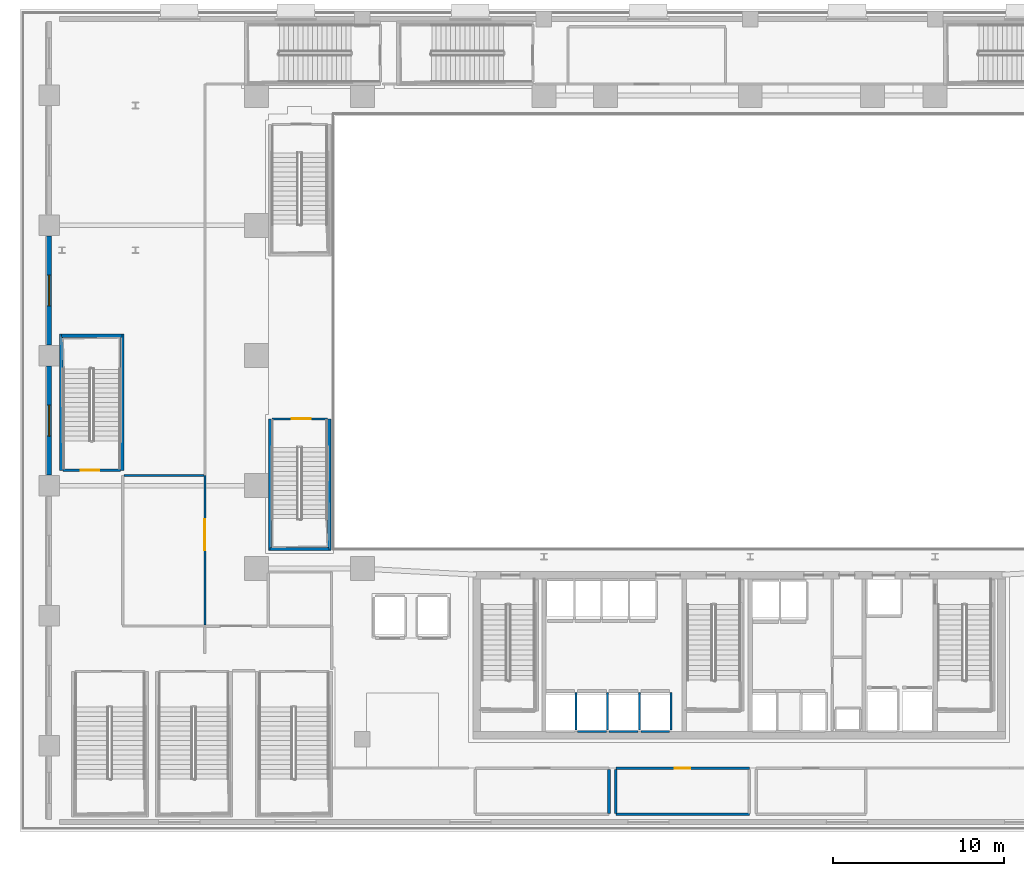
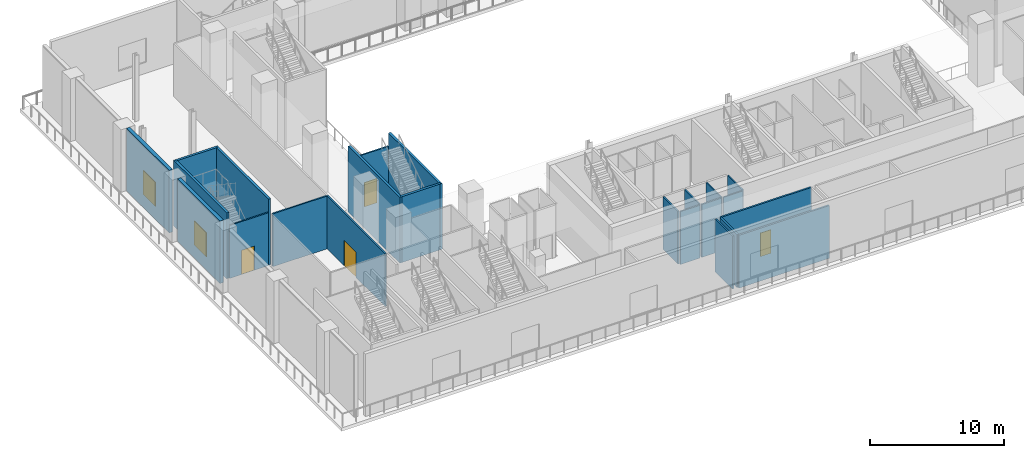
# One storey, part 7 of 29: 23 walls, 4 doors, 2 windows, 6 openings.
"""IFC4 building model written with IfcOpenShell, lengths in metres."""

from ifc_helpers import new_model, si_unit, direction, frame, frame_2d, origin, place, context, subcontext, project, spatial, rectangle, extrude, material, layer, layer_set, type_object, element, fill, save


model = new_model("IFC4")

# Units and contexts
model_context = context("Model", 3, precision=1e-05, world=origin(), true_north=direction((0.0, 1.0)))
body_context = subcontext(model_context, "Body", "Model", "MODEL_VIEW")
ifc_project = project(units=[si_unit("LENGTHUNIT", "METRE"), si_unit("AREAUNIT", "SQUARE_METRE"), si_unit("VOLUMEUNIT", "CUBIC_METRE"), si_unit("PLANEANGLEUNIT", "RADIAN"), si_unit("MASSUNIT", "GRAM", prefix="KILO")], contexts=[model_context])

# Site, building, storey
site_placement = place(None, origin())
site = spatial("IfcSite", under=ifc_project, at=site_placement, CompositionType="ELEMENT")
building_placement = place(site_placement, origin())
building = spatial("IfcBuilding", under=site, at=building_placement, Name="Ndaravel Arena Tower", CompositionType="ELEMENT")
storey_placement = place(building_placement, frame((0.0, 0.0, 12.0)))
storey = spatial("IfcBuildingStorey", under=building, at=storey_placement, Name="L02", CompositionType="ELEMENT", Elevation=12.0)

# Wall, opening, door
ifc_material_1 = material(Name="Gypsum", Category="gypsum")
ifc_layer_1 = layer(ifc_material_1, 0.125)
ifc_layer_set_1 = layer_set([ifc_layer_1], Name="Gypsum")
wall_type_1 = type_object("IfcWallType", Name="WALL-PART-125", PredefinedType="PARTITIONING", material=ifc_layer_set_1)
wall_1_placement = place(storey_placement, frame((10.800048828125, 12.06494140625, 0.0), z_axis=(0.0, 0.0, 1.0), x_axis=(0.0, 1.0, 0.0)))
wall_1 = element("IfcWall", 1, at=wall_1_placement, inside=storey, type_object=wall_type_1, Name="L02 Interior Partition 013", PredefinedType="PARTITIONING", context=body_context, shape_type="SweptSolid", body=[
    extrude(rectangle(XDim=8.735107421875, YDim=0.125, at=frame_2d((4.36767578125, 0.0))), origin(), (0.0, 0.0, 1.0), 4.819091796875),
])
opening_1_placement = place(wall_1_placement, frame((4.367431640625, 0.0, 0.0)))
opening_1 = element("IfcOpeningElement", 2, at=opening_1_placement, cuts=wall_1, Name="Opening AD-01", PredefinedType="OPENING", context=body_context, shape_type="SweptSolid", body=[
    extrude(rectangle(XDim=1.800048828125, YDim=2.300048828125, at=frame_2d((0.89990234375, 1.14990234375))), frame((0.0, 0.0625, 0.0), z_axis=(0.0, -1.0, 0.0), x_axis=(1.0, 0.0, 0.0)), (0.0, 0.0, 1.0), 0.125),
])
ifc_material_2 = material(Name="Steel S355", Category="steel")
door_type_1 = type_object("IfcDoorType", Name="DT-10-ARENA-1800", OperationType="DOUBLE_DOOR_SINGLE_SWING", PredefinedType="DOOR", material=ifc_material_2)
door_1_placement = place(opening_1_placement, origin())
door_1 = element("IfcDoor", 3, at=door_1_placement, inside=storey, type_object=door_type_1, Name="L02 West Corporate Hospitality Boxes Door", OperationType="SINGLE_SWING_RIGHT", OverallHeight=2.300048828125, OverallWidth=1.800048828125, PredefinedType="DOOR", context=body_context, shape_type="SweptSolid", body=[
    extrude(rectangle(XDim=1.800048828125, YDim=2.300048828125, at=frame_2d((0.89990234375, 1.14990234375))), frame((0.0, 0.02490234375, 0.0), z_axis=(0.0, -1.0, 0.0), x_axis=(1.0, 0.0, 0.0)), (0.0, 0.0, 1.0), 0.050048828125),
])
fill(opening_1, door_1)

# Wall
wall_2_placement = place(storey_placement, frame((6.06494140625, 20.800048828125, 0.0), z_axis=(0.0, 0.0, 1.0), x_axis=(1.0, 0.0, 0.0)))
element("IfcWall", 4, at=wall_2_placement, inside=storey, type_object=wall_type_1, Name="L02 Interior Partition 035", PredefinedType="PARTITIONING", context=body_context, shape_type="SweptSolid", body=[
    extrude(rectangle(XDim=4.670166015625, YDim=0.125, at=frame_2d((2.3349609375, 0.0))), origin(), (0.0, 0.0, 1.0), 4.819091796875),
])

# Wall, opening, window
ifc_material_3 = material(Name="Masonry", Category="masonry")
ifc_layer_2 = layer(ifc_material_3, 0.300048828125)
ifc_layer_set_2 = layer_set([ifc_layer_2], Name="Masonry")
wall_type_2 = type_object("IfcWallType", Name="WALL-POD-MAZERAS-300", PredefinedType="SOLIDWALL", material=ifc_layer_set_2)
wall_3_placement = place(storey_placement, frame((1.699951171875, 20.820068359375, 0.0), z_axis=(0.0, 0.0, 1.0), x_axis=(0.0, 1.0, 0.0)))
wall_3 = element("IfcWall", 5, at=wall_3_placement, inside=storey, type_object=wall_type_2, Name="L02 West Mazeras Bay 4", PredefinedType="SOLIDWALL", context=body_context, shape_type="SweptSolid", body=[
    extrude(rectangle(XDim=6.35986328125, YDim=0.300048828125, at=frame_2d((3.179931640625, 0.0))), origin(), (0.0, 0.0, 1.0), 5.699951171875),
])
opening_2_placement = place(wall_3_placement, frame((2.280029296875, 0.0, 1.0)))
opening_2 = element("IfcOpeningElement", 6, at=opening_2_placement, cuts=wall_3, Name="Opening W-PD2", PredefinedType="OPENING", context=body_context, shape_type="SweptSolid", body=[
    extrude(rectangle(XDim=1.800048828125, YDim=2.199951171875, at=frame_2d((0.89990234375, 1.10009765625))), frame((0.0, 0.14990234375, 0.0), z_axis=(0.0, -1.0, 0.0), x_axis=(1.0, 0.0, 0.0)), (0.0, 0.0, 1.0), 0.300048828125),
])
ifc_material_4 = material(Name="Glazing", Category="glass")
window_type = type_object("IfcWindowType", Name="WIN-POD-1800", PartitioningType="SINGLE_PANEL", PredefinedType="WINDOW", material=ifc_material_4)
window_1_placement = place(opening_2_placement, origin())
window_1 = element("IfcWindow", 7, at=window_1_placement, inside=storey, type_object=window_type, Name="L02 West Mazeras Window 4", OverallHeight=2.199951171875, OverallWidth=1.800048828125, PartitioningType="SINGLE_PANEL", PredefinedType="WINDOW", context=body_context, shape_type="SweptSolid", body=[
    extrude(rectangle(XDim=1.800048828125, YDim=2.199951171875, at=frame_2d((0.89990234375, 1.10009765625))), frame((0.0, 0.030029296875, 0.0), z_axis=(0.0, -1.0, 0.0), x_axis=(1.0, 0.0, 0.0)), (0.0, 0.0, 1.0), 0.06005859375),
])
fill(opening_2, window_1)

wall_4_placement = place(storey_placement, frame((1.699951171875, 28.419921875, 0.0), z_axis=(0.0, 0.0, 1.0), x_axis=(0.0, 1.0, 0.0)))
wall_4 = element("IfcWall", 8, at=wall_4_placement, inside=storey, type_object=wall_type_2, Name="L02 West Mazeras Bay 5", PredefinedType="SOLIDWALL", context=body_context, shape_type="SweptSolid", body=[
    extrude(rectangle(XDim=6.360107421875, YDim=0.300048828125, at=frame_2d((3.18017578125, 0.0))), origin(), (0.0, 0.0, 1.0), 5.699951171875),
])
opening_3_placement = place(wall_4_placement, frame((2.280029296875, 0.0, 1.0)))
opening_3 = element("IfcOpeningElement", 9, at=opening_3_placement, cuts=wall_4, Name="Opening W-PD2", PredefinedType="OPENING", context=body_context, shape_type="SweptSolid", body=[
    extrude(rectangle(XDim=1.800048828125, YDim=2.199951171875, at=frame_2d((0.89990234375, 1.10009765625))), frame((0.0, 0.14990234375, 0.0), z_axis=(0.0, -1.0, 0.0), x_axis=(1.0, 0.0, 0.0)), (0.0, 0.0, 1.0), 0.300048828125),
])
window_2_placement = place(opening_3_placement, origin())
window_2 = element("IfcWindow", 10, at=window_2_placement, inside=storey, type_object=window_type, Name="L02 West Mazeras Window 5", OverallHeight=2.199951171875, OverallWidth=1.800048828125, PartitioningType="SINGLE_PANEL", PredefinedType="WINDOW", context=body_context, shape_type="SweptSolid", body=[
    extrude(rectangle(XDim=1.800048828125, YDim=2.199951171875, at=frame_2d((0.89990234375, 1.10009765625))), frame((0.0, 0.030029296875, 0.0), z_axis=(0.0, -1.0, 0.0), x_axis=(1.0, 0.0, 0.0)), (0.0, 0.0, 1.0), 0.06005859375),
])
fill(opening_3, window_2)

# Wall, opening, door
ifc_material_5 = material(Name="Concrete C40/50", Category="concrete")
ifc_layer_3 = layer(ifc_material_5, 0.1201171875)
ifc_layer_set_3 = layer_set([ifc_layer_3], Name="Concrete C40/50")
wall_type_3 = type_object("IfcWallType", Name="WALL-SHAFT-120", PredefinedType="SOLIDWALL", material=ifc_layer_set_3)
wall_5_placement = place(storey_placement, frame((5.875, 21.10009765625, 0.0), z_axis=(0.0, 0.0, 1.0), x_axis=(-1.0, 0.0, 0.0)))
wall_5 = element("IfcWall", 11, at=wall_5_placement, inside=storey, type_object=wall_type_3, Name="L02 ST-A07 Entry Wall", PredefinedType="SOLIDWALL", context=body_context, shape_type="SweptSolid", body=[
    extrude(rectangle(XDim=3.3701171875, YDim=0.1201171875, at=frame_2d((1.68505859375, 0.0))), origin(), (0.0, 0.0, 1.0), 4.819091796875),
])
opening_4_placement = place(wall_5_placement, frame((1.239990234375, 0.0, 0.0)))
opening_4 = element("IfcOpeningElement", 12, at=opening_4_placement, cuts=wall_5, Name="Opening FD-01", PredefinedType="OPENING", context=body_context, shape_type="SweptSolid", body=[
    extrude(rectangle(XDim=1.10009765625, YDim=2.199951171875, at=frame_2d((0.550048828125, 1.10009765625))), frame((0.0, 0.06005859375, 0.0), z_axis=(0.0, -1.0, 0.0), x_axis=(1.0, 0.0, 0.0)), (0.0, 0.0, 1.0), 0.1201171875),
])
ifc_material_6 = material(Name="Steel S355", Category="steel")
door_type_2 = type_object("IfcDoorType", Name="DT-01-STAIR-1100", OperationType="SINGLE_SWING_LEFT", PredefinedType="DOOR", material=ifc_material_6)
door_2_placement = place(opening_4_placement, origin())
door_2 = element("IfcDoor", 13, at=door_2_placement, inside=storey, type_object=door_type_2, Name="L02 ST-A07 Fire Exit Stair Door", OperationType="SINGLE_SWING_LEFT", OverallHeight=2.199951171875, OverallWidth=1.10009765625, PredefinedType="DOOR", context=body_context, shape_type="SweptSolid", body=[
    extrude(rectangle(XDim=1.10009765625, YDim=2.199951171875, at=frame_2d((0.550048828125, 1.10009765625))), frame((0.0, 0.02490234375, 0.0), z_axis=(0.0, -1.0, 0.0), x_axis=(1.0, 0.0, 0.0)), (0.0, 0.0, 1.0), 0.050048828125),
])
fill(opening_4, door_2)

wall_6_placement = place(storey_placement, frame((14.705078125, 24.10009765625, 0.0), z_axis=(0.0, 0.0, 1.0), x_axis=(1.0, 0.0, 0.0)))
wall_6 = element("IfcWall", 14, at=wall_6_placement, inside=storey, type_object=wall_type_3, Name="L02 ST-VOM-1 Entry Wall", PredefinedType="SOLIDWALL", context=body_context, shape_type="SweptSolid", body=[
    extrude(rectangle(XDim=3.25, YDim=0.1201171875, at=frame_2d((1.625, 0.0))), origin(), (0.0, 0.0, 1.0), 4.819091796875),
])
opening_5_placement = place(wall_6_placement, frame((1.179931640625, 0.0, 0.0)))
opening_5 = element("IfcOpeningElement", 15, at=opening_5_placement, cuts=wall_6, Name="Opening FD-01", PredefinedType="OPENING", context=body_context, shape_type="SweptSolid", body=[
    extrude(rectangle(XDim=1.10009765625, YDim=2.199951171875, at=frame_2d((0.550048828125, 1.10009765625))), frame((0.0, 0.06005859375, 0.0), z_axis=(0.0, -1.0, 0.0), x_axis=(1.0, 0.0, 0.0)), (0.0, 0.0, 1.0), 0.1201171875),
])
door_3_placement = place(opening_5_placement, origin())
door_3 = element("IfcDoor", 16, at=door_3_placement, inside=storey, type_object=door_type_2, Name="L02 ST-VOM-1 Fire Exit Stair Door", OperationType="SINGLE_SWING_LEFT", OverallHeight=2.199951171875, OverallWidth=1.10009765625, PredefinedType="DOOR", context=body_context, shape_type="SweptSolid", body=[
    extrude(rectangle(XDim=1.10009765625, YDim=2.199951171875, at=frame_2d((0.550048828125, 1.10009765625))), frame((0.0, 0.02490234375, 0.0), z_axis=(0.0, -1.0, 0.0), x_axis=(1.0, 0.0, 0.0)), (0.0, 0.0, 1.0), 0.050048828125),
])
fill(opening_5, door_3)

# Walls
wall_7_placement = place(storey_placement, frame((32.47509765625, 5.929931640625, 0.0), z_axis=(0.0, 0.0, 1.0), x_axis=(0.0, 1.0, 0.0)))
element("IfcWall", 17, at=wall_7_placement, inside=storey, type_object=wall_type_3, Name="L02 PL-L1 Shaft Side R Wall", PredefinedType="SOLIDWALL", context=body_context, shape_type="SweptSolid", body=[
    extrude(rectangle(XDim=2.18017578125, YDim=0.1201171875, at=frame_2d((1.090087890625, 0.0))), origin(), (0.0, 0.0, 1.0), 4.819091796875),
])
wall_8_placement = place(storey_placement, frame((32.554931640625, 5.840087890625, 0.0), z_axis=(0.0, 0.0, 1.0), x_axis=(1.0, 0.0, 0.0)))
element("IfcWall", 18, at=wall_8_placement, inside=storey, type_object=wall_type_3, Name="L02 PL-L2 Shaft Rear Wall", PredefinedType="SOLIDWALL", context=body_context, shape_type="SweptSolid", body=[
    extrude(rectangle(XDim=1.690185546875, YDim=0.1201171875, at=frame_2d((0.84521484375, 0.0))), origin(), (0.0, 0.0, 1.0), 4.819091796875),
])
wall_9_placement = place(storey_placement, frame((34.324951171875, 5.929931640625, 0.0), z_axis=(0.0, 0.0, 1.0), x_axis=(0.0, 1.0, 0.0)))
element("IfcWall", 19, at=wall_9_placement, inside=storey, type_object=wall_type_3, Name="L02 PL-L2 Shaft Side R Wall", PredefinedType="SOLIDWALL", context=body_context, shape_type="SweptSolid", body=[
    extrude(rectangle(XDim=2.18017578125, YDim=0.1201171875, at=frame_2d((1.090087890625, 0.0))), origin(), (0.0, 0.0, 1.0), 4.819091796875),
])
wall_10_placement = place(storey_placement, frame((34.405029296875, 5.840087890625, 0.0), z_axis=(0.0, 0.0, 1.0), x_axis=(1.0, 0.0, 0.0)))
element("IfcWall", 20, at=wall_10_placement, inside=storey, type_object=wall_type_3, Name="L02 PL-L3 Shaft Rear Wall", PredefinedType="SOLIDWALL", context=body_context, shape_type="SweptSolid", body=[
    extrude(rectangle(XDim=1.68994140625, YDim=0.1201171875, at=frame_2d((0.844970703125, 0.0))), origin(), (0.0, 0.0, 1.0), 4.819091796875),
])
wall_11_placement = place(storey_placement, frame((36.175048828125, 5.929931640625, 0.0), z_axis=(0.0, 0.0, 1.0), x_axis=(0.0, 1.0, 0.0)))
element("IfcWall", 21, at=wall_11_placement, inside=storey, type_object=wall_type_3, Name="L02 PL-L3 Shaft Side R Wall", PredefinedType="SOLIDWALL", context=body_context, shape_type="SweptSolid", body=[
    extrude(rectangle(XDim=2.18017578125, YDim=0.1201171875, at=frame_2d((1.090087890625, 0.0))), origin(), (0.0, 0.0, 1.0), 4.819091796875),
])
wall_12_placement = place(storey_placement, frame((36.2548828125, 5.840087890625, 0.0), z_axis=(0.0, 0.0, 1.0), x_axis=(1.0, 0.0, 0.0)))
element("IfcWall", 22, at=wall_12_placement, inside=storey, type_object=wall_type_3, Name="L02 PL-L4 Shaft Rear Wall", PredefinedType="SOLIDWALL", context=body_context, shape_type="SweptSolid", body=[
    extrude(rectangle(XDim=1.690185546875, YDim=0.1201171875, at=frame_2d((0.84521484375, 0.0))), origin(), (0.0, 0.0, 1.0), 4.819091796875),
])
wall_13_placement = place(storey_placement, frame((38.02490234375, 5.929931640625, 0.0), z_axis=(0.0, 0.0, 1.0), x_axis=(0.0, 1.0, 0.0)))
element("IfcWall", 23, at=wall_13_placement, inside=storey, type_object=wall_type_3, Name="L02 PL-L4 Shaft Side R Wall", PredefinedType="SOLIDWALL", context=body_context, shape_type="SweptSolid", body=[
    extrude(rectangle(XDim=2.18017578125, YDim=0.1201171875, at=frame_2d((1.090087890625, 0.0))), origin(), (0.0, 0.0, 1.0), 4.819091796875),
])
ifc_material_7 = material(Name="Concrete C40/50", Category="concrete")
ifc_layer_4 = layer(ifc_material_7, 0.199951171875)
ifc_layer_set_4 = layer_set([ifc_layer_4], Name="Concrete C40/50")
wall_type_4 = type_object("IfcWallType", Name="WALL-SHAFT-200", PredefinedType="SOLIDWALL", material=ifc_layer_set_4)
for number, where, z_axis, x_axis, name in (
    (24, (5.97998046875, 21.10009765625, 0.0), (0.0, 0.0, 1.0), (0.0, 1.0, 0.0), "L02 ST-A07 Shaft Wall Left"),
    (25, (2.39990234375, 21.10009765625, 0.0), (0.0, 0.0, 1.0), (0.0, 1.0, 0.0), "L02 ST-A07 Shaft Wall Right"),
):
    element("IfcWall", number, at=place(storey_placement, frame(where, z_axis=z_axis, x_axis=x_axis)), inside=storey, type_object=wall_type_4, Name=name, PredefinedType="SOLIDWALL", context=body_context, shape_type="SweptSolid", body=[
        extrude(rectangle(XDim=7.949951171875, YDim=0.199951171875, at=frame_2d((3.97509765625, 0.0))), origin(), (0.0, 0.0, 1.0), 6.0),
    ])
wall_14_placement = place(storey_placement, frame((5.969970703125, 28.949951171875, 0.0), z_axis=(0.0, 0.0, 1.0), x_axis=(-1.0, 0.0, 0.0)))
element("IfcWall", 26, at=wall_14_placement, inside=storey, type_object=wall_type_4, Name="L02 ST-A07 Shaft Wall Far", PredefinedType="SOLIDWALL", context=body_context, shape_type="SweptSolid", body=[
    extrude(rectangle(XDim=3.56005859375, YDim=0.199951171875, at=frame_2d((1.780029296875, 0.0))), origin(), (0.0, 0.0, 1.0), 6.0),
])
for number, where, z_axis, x_axis, name in (
    (27, (14.60009765625, 24.10009765625, 0.0), (0.0, 0.0, 1.0), (0.0, -1.0, 0.0), "L02 ST-VOM-1 Shaft Wall Left"),
    (28, (18.06005859375, 24.10009765625, 0.0), (0.0, 0.0, 1.0), (0.0, -1.0, 0.0), "L02 ST-VOM-1 Shaft Wall Right"),
):
    element("IfcWall", number, at=place(storey_placement, frame(where, z_axis=z_axis, x_axis=x_axis)), inside=storey, type_object=wall_type_4, Name=name, PredefinedType="SOLIDWALL", context=body_context, shape_type="SweptSolid", body=[
        extrude(rectangle(XDim=7.7001953125, YDim=0.199951171875, at=frame_2d((3.85009765625, 0.0))), origin(), (0.0, 0.0, 1.0), 6.0),
    ])
wall_15_placement = place(storey_placement, frame((14.610107421875, 16.5, 0.0), z_axis=(0.0, 0.0, 1.0), x_axis=(1.0, 0.0, 0.0)))
element("IfcWall", 29, at=wall_15_placement, inside=storey, type_object=wall_type_4, Name="L02 ST-VOM-1 Shaft Wall Far", PredefinedType="SOLIDWALL", context=body_context, shape_type="SweptSolid", body=[
    extrude(rectangle(XDim=3.43994140625, YDim=0.199951171875, at=frame_2d((1.719970703125, 0.0))), origin(), (0.0, 0.0, 1.0), 6.0),
])

# Wall, opening, door
ifc_material_8 = material(Name="Masonry", Category="masonry")
ifc_layer_5 = layer(ifc_material_8, 0.14990234375)
ifc_layer_set_5 = layer_set([ifc_layer_5], Name="Masonry")
wall_type_5 = type_object("IfcWallType", Name="WALL-WET-150", PredefinedType="PARTITIONING", material=ifc_layer_set_5)
wall_16_placement = place(storey_placement, frame((42.60009765625, 3.699951171875, 0.0), z_axis=(0.0, 0.0, 1.0), x_axis=(-1.0, 0.0, 0.0)))
wall_16 = element("IfcWall", 30, at=wall_16_placement, inside=storey, type_object=wall_type_5, Name="L02 Interior Partition 004", PredefinedType="PARTITIONING", context=body_context, shape_type="SweptSolid", body=[
    extrude(rectangle(XDim=7.800048828125, YDim=0.14990234375, at=frame_2d((3.89990234375, 0.0))), origin(), (0.0, 0.0, 1.0), 4.819091796875),
])
opening_6_placement = place(wall_16_placement, frame((3.449951171875, 0.0, 0.0)))
opening_6 = element("IfcOpeningElement", 31, at=opening_6_placement, cuts=wall_16, Name="Opening WD-01", PredefinedType="OPENING", context=body_context, shape_type="SweptSolid", body=[
    extrude(rectangle(XDim=0.89990234375, YDim=2.14990234375, at=frame_2d((0.449951171875, 1.074951171875))), frame((0.0, 0.074951171875, 0.0), z_axis=(0.0, -1.0, 0.0), x_axis=(1.0, 0.0, 0.0)), (0.0, 0.0, 1.0), 0.14990234375),
])
ifc_material_9 = material(Name="Timber", Category="wood")
door_type_3 = type_object("IfcDoorType", Name="DT-05-WC-900", OperationType="SINGLE_SWING_LEFT", PredefinedType="DOOR", material=ifc_material_9)
door_4_placement = place(opening_6_placement, origin())
door_4 = element("IfcDoor", 32, at=door_4_placement, inside=storey, type_object=door_type_3, Name="L02 VIP Female Restroom Door", OperationType="SINGLE_SWING_LEFT", OverallHeight=2.14990234375, OverallWidth=0.89990234375, PredefinedType="DOOR", context=body_context, shape_type="SweptSolid", body=[
    extrude(rectangle(XDim=0.89990234375, YDim=2.14990234375, at=frame_2d((0.449951171875, 1.074951171875))), frame((0.0, 0.02490234375, 0.0), z_axis=(0.0, -1.0, 0.0), x_axis=(1.0, 0.0, 0.0)), (0.0, 0.0, 1.0), 0.050048828125),
])
fill(opening_6, door_4)

# Walls
wall_17_placement = place(storey_placement, frame((34.39990234375, 3.635009765625, 0.0), z_axis=(0.0, 0.0, 1.0), x_axis=(0.0, -1.0, 0.0)))
element("IfcWall", 33, at=wall_17_placement, inside=storey, type_object=wall_type_5, Name="L02 Interior Partition 047", PredefinedType="PARTITIONING", context=body_context, shape_type="SweptSolid", body=[
    extrude(rectangle(XDim=2.570068359375, YDim=0.14990234375, at=frame_2d((1.28515625, 0.0))), origin(), (0.0, 0.0, 1.0), 4.819091796875),
])
wall_18_placement = place(storey_placement, frame((42.60009765625, 1.0, 0.0), z_axis=(0.0, 0.0, 1.0), x_axis=(-1.0, 0.0, 0.0)))
element("IfcWall", 34, at=wall_18_placement, inside=storey, type_object=wall_type_5, Name="L02 Interior Partition 048", PredefinedType="PARTITIONING", context=body_context, shape_type="SweptSolid", body=[
    extrude(rectangle(XDim=7.800048828125, YDim=0.14990234375, at=frame_2d((3.89990234375, 0.0))), origin(), (0.0, 0.0, 1.0), 4.819091796875),
])
wall_19_placement = place(storey_placement, frame((34.800048828125, 1.06494140625, 0.0), z_axis=(0.0, 0.0, 1.0), x_axis=(0.0, 1.0, 0.0)))
element("IfcWall", 35, at=wall_19_placement, inside=storey, type_object=wall_type_5, Name="L02 Interior Partition 049", PredefinedType="PARTITIONING", context=body_context, shape_type="SweptSolid", body=[
    extrude(rectangle(XDim=2.570068359375, YDim=0.14990234375, at=frame_2d((1.28515625, 0.0))), origin(), (0.0, 0.0, 1.0), 4.819091796875),
])

save(model, "model.ifc")
